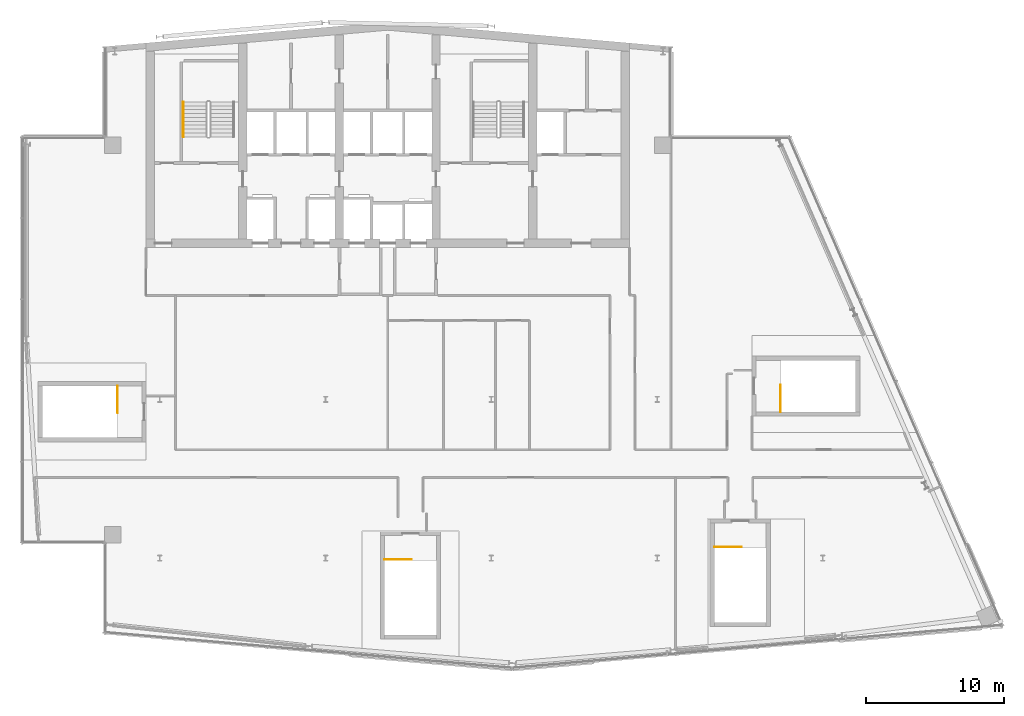
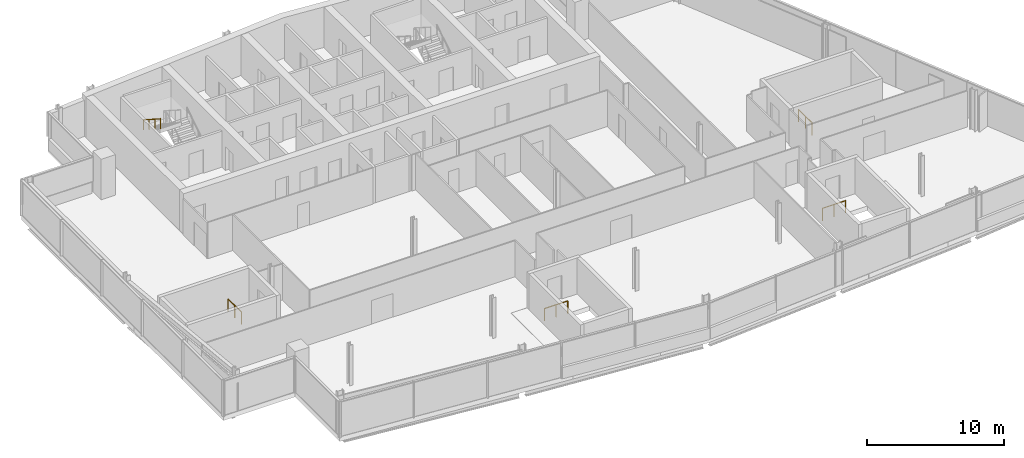
# One storey, part 18 of 19: 5 railings.
"""IFC4 building model written with IfcOpenShell, lengths in metres."""

from ifc_helpers import new_model, si_unit, direction, frame, origin, origin_2d, place, context, subcontext, project, spatial, circle, extrude, material, type_object, element, save


model = new_model("IFC4")

# Units and contexts
model_context = context("Model", 3, precision=1e-05, world=origin(), true_north=direction((0.0, 1.0)))
body_context = subcontext(model_context, "Body", "Model", "MODEL_VIEW")
ifc_project = project(units=[si_unit("LENGTHUNIT", "METRE"), si_unit("AREAUNIT", "SQUARE_METRE"), si_unit("VOLUMEUNIT", "CUBIC_METRE"), si_unit("PLANEANGLEUNIT", "RADIAN"), si_unit("MASSUNIT", "GRAM", prefix="KILO")], contexts=[model_context])

# Site, building, storey
site_placement = place(None, origin())
site = spatial("IfcSite", under=ifc_project, at=site_placement, CompositionType="ELEMENT")
building_placement = place(site_placement, origin())
building = spatial("IfcBuilding", under=site, at=building_placement, Name="Wharfspan Tower", CompositionType="ELEMENT")
storey_placement = place(building_placement, frame((0.0, 0.0, 257.5)))
storey = spatial("IfcBuildingStorey", under=building, at=storey_placement, Name="L65", CompositionType="ELEMENT", Elevation=257.5)

# Railings
ifc_material = material(Name="Steel S355J2", Category="steel")
railing_type_1 = type_object("IfcRailingType", Name="Stair guard 1100", PredefinedType="GUARDRAIL", material=ifc_material)
railing_1_placement = place(storey_placement, frame((20.949951, 23.975098, 0.0)))
element("IfcRailing", 1, at=railing_1_placement, inside=storey, type_object=railing_type_1, Name="L65 ST3 top well guard 1", PredefinedType="GUARDRAIL", context=body_context, shape_type="SweptSolid", body=[
    extrude(circle(Radius=0.023926, at=origin_2d()), frame((0.0, 0.0, 1.076172), z_axis=(0.0, -1.0, 0.0), x_axis=(1.0, 0.0, 0.0)), (0.0, 0.0, 1.0), 1.950195),
    extrude(circle(Radius=0.020996, at=origin_2d()), origin(), (0.0, 0.0, 1.0), 1.052002),
    extrude(circle(Radius=0.020996, at=origin_2d()), frame((0.0, -0.975098, 0.0)), (0.0, 0.0, 1.0), 1.052002),
    extrude(circle(Radius=0.020996, at=origin_2d()), frame((0.0, -1.950195, 0.0)), (0.0, 0.0, 1.0), 1.052002),
])
for number, where, name in (
    (2, (40.2771, 11.393311, 0.0), "L65 ST4 top well guard 1"),
    (3, (64.143799, 12.296143, 0.0), "L65 ST5 top well guard 1"),
):
    element("IfcRailing", number, at=place(storey_placement, frame(where)), inside=storey, type_object=railing_type_1, Name=name, PredefinedType="GUARDRAIL", context=body_context, shape_type="SweptSolid", body=[
        extrude(circle(Radius=0.023926, at=origin_2d()), frame((0.0, 0.0, 1.076172), z_axis=(1.0, 0.0, 0.0), x_axis=(0.0, 1.0, 0.0)), (0.0, 0.0, 1.0), 1.949951),
        extrude(circle(Radius=0.020996, at=origin_2d()), origin(), (0.0, 0.0, 1.0), 1.052002),
        extrude(circle(Radius=0.020996, at=origin_2d()), frame((0.975098, 0.0, 0.0)), (0.0, 0.0, 1.0), 1.052002),
        extrude(circle(Radius=0.020996, at=origin_2d()), frame((1.949951, 0.0, 0.0)), (0.0, 0.0, 1.0), 1.052002),
    ])
railing_2_placement = place(storey_placement, frame((68.919678, 22.074951, 0.0)))
element("IfcRailing", 4, at=railing_2_placement, inside=storey, type_object=railing_type_1, Name="L65 ST6 top well guard 1", PredefinedType="GUARDRAIL", context=body_context, shape_type="SweptSolid", body=[
    extrude(circle(Radius=0.023926, at=origin_2d()), frame((0.0, 0.0, 1.076172), z_axis=(0.0, 1.0, 0.0), x_axis=(-1.0, 0.0, 0.0)), (0.0, 0.0, 1.0), 1.949951),
    extrude(circle(Radius=0.020996, at=origin_2d()), origin(), (0.0, 0.0, 1.0), 1.052002),
    extrude(circle(Radius=0.020996, at=origin_2d()), frame((0.0, 0.975098, 0.0)), (0.0, 0.0, 1.0), 1.052002),
    extrude(circle(Radius=0.020996, at=origin_2d()), frame((0.0, 1.949951, 0.0)), (0.0, 0.0, 1.0), 1.052002),
])
railing_type_2 = type_object("IfcRailingType", Name="Stair handrail 900", PredefinedType="HANDRAIL", material=ifc_material)
railing_3_placement = place(storey_placement, frame((25.699951, 44.52002, 1.97998)))
element("IfcRailing", 5, at=railing_3_placement, inside=storey, type_object=railing_type_2, Name="L65 ST1 stair handrail 2", PredefinedType="HANDRAIL", context=body_context, shape_type="SweptSolid", body=[
    extrude(circle(Radius=0.023926, at=origin_2d()), frame((0.0, 0.0, 0.875977), z_axis=(0.0, -0.841163, 0.540782), x_axis=(1.0, 0.0, 0.0)), (0.0, 0.0, 1.0), 2.99585),
    extrude(circle(Radius=0.020996, at=origin_2d()), origin(), (0.0, 0.0, 1.0), 0.851807),
    extrude(circle(Radius=0.020996, at=origin_2d()), frame((0.0, -0.840088, 0.540039)), (0.0, 0.0, 1.0), 0.851807),
    extrude(circle(Radius=0.020996, at=origin_2d()), frame((0.0, -1.679932, 1.080078)), (0.0, 0.0, 1.0), 0.851807),
    extrude(circle(Radius=0.020996, at=origin_2d()), frame((0.0, -2.52002, 1.620117)), (0.0, 0.0, 1.0), 0.851807),
])

save(model, "model.ifc")
